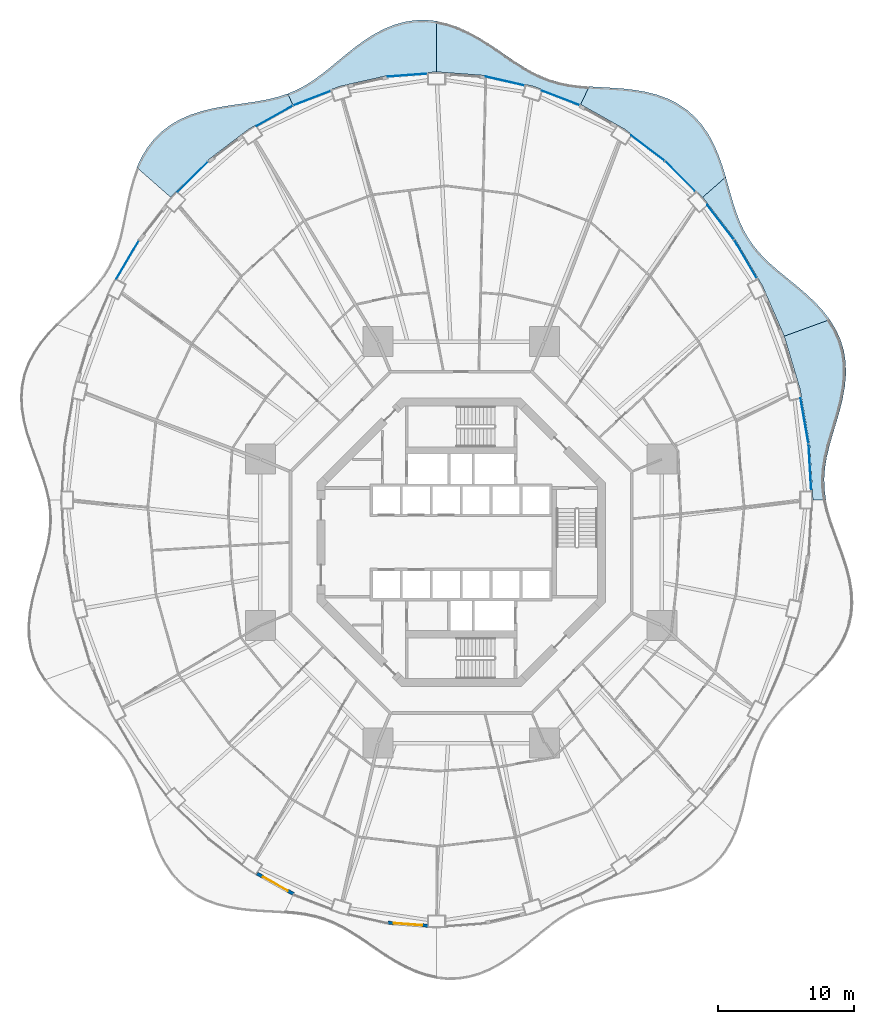
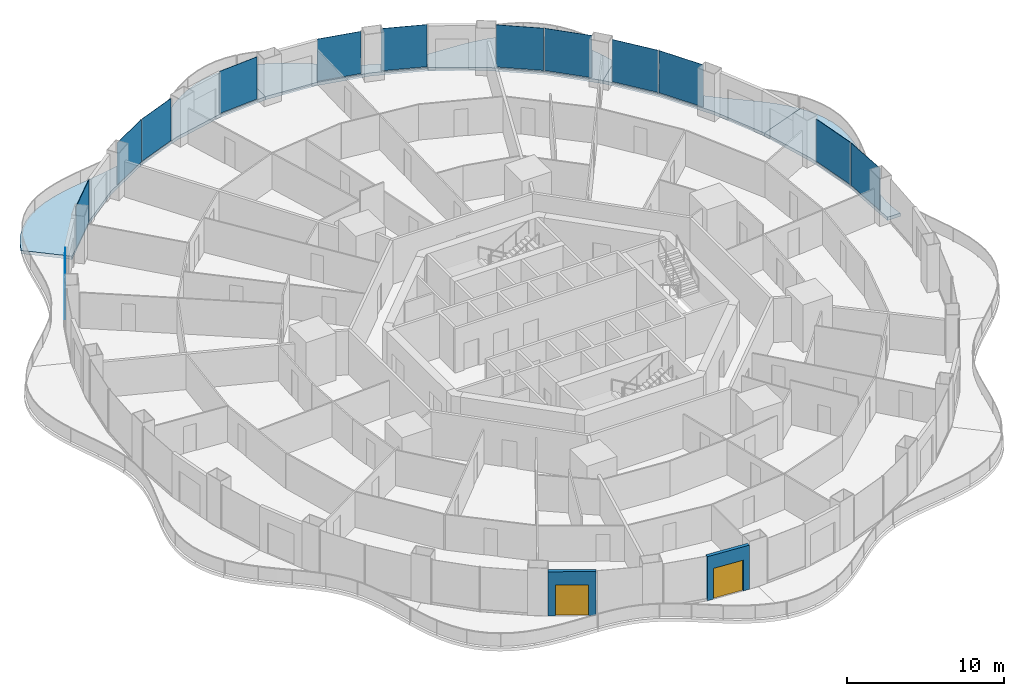
# One storey, part 14 of 24: 13 plates, 6 slabs, 2 doors, 2 walls, 2 openings, 13 elements without a shape of their own.
"""IFC4 building model written with IfcOpenShell, lengths in metres."""

from ifc_helpers import new_model, si_unit, direction, frame, frame_2d, origin, origin_2d, place, context, subcontext, project, spatial, polyline, rectangle, outline, extrude, material, layer, layer_set, type_object, element, fill, aggregate, save


model = new_model("IFC4")

# Units and contexts
model_context = context("Model", 3, precision=1e-05, world=origin(), true_north=direction((0.0, 1.0)))
body_context = subcontext(model_context, "Body", "Model", "MODEL_VIEW")
ifc_project = project(units=[si_unit("LENGTHUNIT", "METRE"), si_unit("AREAUNIT", "SQUARE_METRE"), si_unit("VOLUMEUNIT", "CUBIC_METRE"), si_unit("PLANEANGLEUNIT", "RADIAN"), si_unit("MASSUNIT", "GRAM", prefix="KILO")], contexts=[model_context])

# Site, building, storey
site_placement = place(None, origin())
site = spatial("IfcSite", under=ifc_project, at=site_placement, CompositionType="ELEMENT")
building_placement = place(site_placement, origin())
building = spatial("IfcBuilding", under=site, at=building_placement, Name="Nagisa Residences", CompositionType="ELEMENT")
storey_placement = place(building_placement, frame((0.0, 0.0, 102.89990234375)))
storey = spatial("IfcBuildingStorey", under=building, at=storey_placement, Name="L25", CompositionType="ELEMENT", Elevation=102.89990234375)

# Slabs
ifc_material_1 = material(Name="Concrete C40/50", Category="concrete")
ifc_layer_1 = layer(ifc_material_1, 0.25)
ifc_layer_set_1 = layer_set([ifc_layer_1], Name="BALCONY SLAB 250")
slab_type = type_object("IfcSlabType", Name="BALCONY SLAB 250", PredefinedType="FLOOR", material=ifc_layer_set_1)
slab_1_placement = place(storey_placement, frame((0.0, 0.0, -0.25)))
element("IfcSlab", 1, at=slab_1_placement, inside=storey, type_object=slab_type, Name="slab:L25:bal00", PredefinedType="FLOOR", context=body_context, shape_type="SweptSolid", body=[
    extrude(outline(polyline([(26.854248046875, 3.11767578125), (26.748046875, 3.9052734375), (26.724853515625, 4.6923828125), (26.783935546875, 5.4853515625), (26.91845703125, 6.289794921875), (27.1142578125, 7.109375), (27.3525390625, 7.947021484375), (27.610107421875, 8.802490234375), (27.861328125, 9.674072265625), (28.080322265625, 10.556884765625), (28.241455078125, 11.444580078125), (28.323486328125, 12.3291015625), (28.30810546875, 13.200927734375), (28.183837890625, 14.051513671875), (27.9453125, 14.8720703125), (27.593505859375, 15.655517578125), (27.13671875, 16.3974609375), (23.786865234375, 15.177978515625), (24.951416015625, 11.2744140625), (25.657958984375, 7.231201171875), (25.89501953125, 3.11767578125), (26.854248046875, 3.11767578125)])), origin(), (0.0, 0.0, 1.0), 0.25),
])
slab_2_placement = place(storey_placement, frame((0.0, 0.0, -0.25)))
element("IfcSlab", 2, at=slab_2_placement, inside=storey, type_object=slab_type, Name="slab:L25:bal01", PredefinedType="FLOOR", context=body_context, shape_type="SweptSolid", body=[
    extrude(outline(polyline([(27.13671875, 16.3974609375), (26.607177734375, 17.074951171875), (26.0087890625, 17.712646484375), (25.3623046875, 18.314697265625), (24.689453125, 18.8876953125), (24.0126953125, 19.440673828125), (23.35302734375, 19.984619140625), (22.72900390625, 20.53125), (22.155029296875, 21.092529296875), (21.64111328125, 21.6796875), (21.19189453125, 22.301513671875), (20.806640625, 22.96533203125), (20.47900390625, 23.674072265625), (20.198486328125, 24.427490234375), (19.9501953125, 25.22119140625), (19.716552734375, 26.046630859375), (19.478759765625, 26.89208984375), (17.783203125, 25.402099609375), (20.171875, 22.302734375), (22.1845703125, 18.875244140625), (23.786865234375, 15.177978515625), (27.13671875, 16.3974609375)])), origin(), (0.0, 0.0, 1.0), 0.25),
])
slab_3_placement = place(storey_placement, frame((0.0, 0.0, -0.25)))
element("IfcSlab", 3, at=slab_3_placement, inside=storey, type_object=slab_type, Name="slab:L25:bal02", PredefinedType="FLOOR", context=body_context, shape_type="SweptSolid", body=[
    extrude(outline(polyline([(19.478759765625, 26.89208984375), (19.230712890625, 27.702880859375), (18.9462890625, 28.503662109375), (18.611572265625, 29.27880859375), (18.216552734375, 30.012939453125), (17.75341796875, 30.692138671875), (17.21923828125, 31.3037109375), (16.614013671875, 31.838623046875), (15.942138671875, 32.290771484375), (15.211181640625, 32.658447265625), (14.431396484375, 32.944580078125), (13.61474609375, 33.155517578125), (12.774169921875, 33.302001953125), (11.92333984375, 33.3984375), (11.07421875, 33.4609375), (10.238037109375, 33.508056640625), (9.422607421875, 33.55810546875), (8.79833984375, 32.233642578125), (12.047607421875, 30.410400390625), (15.0595703125, 28.1201171875), (17.783203125, 25.402099609375), (19.478759765625, 26.89208984375)])), origin(), (0.0, 0.0, 1.0), 0.25),
])
slab_4_placement = place(storey_placement, frame((0.0, 0.0, -0.25)))
element("IfcSlab", 4, at=slab_4_placement, inside=storey, type_object=slab_type, Name="slab:L25:bal03", PredefinedType="FLOOR", context=body_context, shape_type="SweptSolid", body=[
    extrude(outline(polyline([(9.422607421875, 33.55810546875), (8.662109375, 33.625732421875), (7.928955078125, 33.7265625), (7.22314453125, 33.8720703125), (6.541748046875, 34.07080078125), (5.88037109375, 34.326416015625), (5.232666015625, 34.638916015625), (4.59130859375, 35.00439453125), (3.94873046875, 35.41357421875), (3.298095703125, 35.854248046875), (2.632568359375, 36.311279296875), (1.94775390625, 36.766357421875), (1.240234375, 37.201171875), (0.509521484375, 37.595947265625), (-0.243408203125, 37.933349609375), (-1.014892578125, 38.19677734375), (-1.800048828125, 38.37353515625), (-1.800048828125, 34.6328125), (1.81494140625, 34.363037109375), (5.367919921875, 33.558837890625), (8.79833984375, 32.233642578125), (9.422607421875, 33.55810546875)])), origin(), (0.0, 0.0, 1.0), 0.25),
])
slab_5_placement = place(storey_placement, frame((0.0, 0.0, -0.25)))
element("IfcSlab", 5, at=slab_5_placement, inside=storey, type_object=slab_type, Name="slab:L25:bal04", PredefinedType="FLOOR", context=body_context, shape_type="SweptSolid", body=[
    extrude(outline(polyline([(-1.800048828125, 38.37353515625), (-2.59228515625, 38.4541015625), (-3.384765625, 38.43359375), (-4.169921875, 38.3115234375), (-4.94091796875, 38.09228515625), (-5.69140625, 37.784423828125), (-6.41748046875, 37.400390625), (-7.11669921875, 36.95556640625), (-7.78857421875, 36.467529296875), (-8.435546875, 35.955078125), (-9.06103515625, 35.437255859375), (-9.671630859375, 34.931640625), (-10.2744140625, 34.453857421875), (-10.877685546875, 34.016845703125), (-11.48974609375, 33.6298828125), (-12.1181640625, 33.298095703125), (-12.770263671875, 33.0224609375), (-12.3984375, 32.233642578125), (-8.968017578125, 33.558837890625), (-5.4150390625, 34.363037109375), (-1.800048828125, 34.6328125), (-1.800048828125, 38.37353515625)])), origin(), (0.0, 0.0, 1.0), 0.25),
])
slab_6_placement = place(storey_placement, frame((0.0, 0.0, -0.25)))
element("IfcSlab", 6, at=slab_6_placement, inside=storey, type_object=slab_type, Name="slab:L25:bal05", PredefinedType="FLOOR", context=body_context, shape_type="SweptSolid", body=[
    extrude(outline(polyline([(-12.770263671875, 33.0224609375), (-13.476318359375, 32.792236328125), (-14.215576171875, 32.61083984375), (-14.98779296875, 32.466552734375), (-15.789306640625, 32.344482421875), (-16.614013671875, 32.22802734375), (-17.451904296875, 32.09912109375), (-18.29150390625, 31.940673828125), (-19.119140625, 31.737060546875), (-19.920654296875, 31.474365234375), (-20.682373046875, 31.142333984375), (-21.39111328125, 30.734130859375), (-22.0361328125, 30.247314453125), (-22.610107421875, 29.683349609375), (-23.108154296875, 29.047119140625), (-23.530029296875, 28.34765625), (-23.879638671875, 27.595947265625), (-21.38330078125, 25.402099609375), (-18.65966796875, 28.1201171875), (-15.6474609375, 30.410400390625), (-12.3984375, 32.233642578125), (-12.770263671875, 33.0224609375)])), origin(), (0.0, 0.0, 1.0), 0.25),
])

# Curtain wall, plate
ifc_material_2 = material(Name="Concrete-coloured aluminium curtain wall system", Category="concrete")
ifc_layer_2 = layer(ifc_material_2, 0.159912109375)
ifc_layer_set_2 = layer_set([ifc_layer_2], Name="CW1 CURTAIN WALL")
curtain_wall_type = type_object("IfcCurtainWallType", Name="CW1 CURTAIN WALL", PredefinedType="NOTDEFINED", material=ifc_layer_set_2)
curtain_wall_1_placement = place(storey_placement, origin())
curtain_wall_1 = element("IfcCurtainWall", 7, at=curtain_wall_1_placement, inside=storey, type_object=curtain_wall_type, Name="cw:CW1:L25:00", PredefinedType="NOTDEFINED")
ifc_material_3 = material(Name="Clear laminated glass", Category="glass")
ifc_layer_3 = layer(ifc_material_3, 0.028076171875)
ifc_layer_set_3 = layer_set([ifc_layer_3], Name="CW1 GLASS PANEL")
plate_type = type_object("IfcPlateType", Name="CW1 GLASS PANEL", PredefinedType="CURTAIN_PANEL", material=ifc_layer_set_3)
plate_1_placement = place(storey_placement, frame((25.67626953125, 5.524169921875, 0.150146484375), z_axis=(0.0, 0.0, 1.0), x_axis=(-0.057503492216, 0.998345305184, 0.0)))
plate_1 = element("IfcPlate", 8, at=plate_1_placement, type_object=plate_type, Name="CW1 panel", PredefinedType="CURTAIN_PANEL", context=body_context, shape_type="SweptSolid", body=[
    extrude(rectangle(XDim=3.410400390625, YDim=0.028076171875, at=origin_2d()), origin(), (0.0, 0.0, 1.0), 3.2900390625),
])
aggregate(curtain_wall_1, [plate_1])

curtain_wall_2_placement = place(storey_placement, origin())
curtain_wall_2 = element("IfcCurtainWall", 9, at=curtain_wall_2_placement, inside=storey, type_object=curtain_wall_type, Name="cw:CW1:L25:01", PredefinedType="NOTDEFINED")
plate_2_placement = place(storey_placement, frame((25.276611328125, 8.948486328125, 0.150146484375), z_axis=(0.0, 0.0, 1.0), x_axis=(-0.172190868898, 0.985063604377, 0.0)))
plate_2 = element("IfcPlate", 10, at=plate_2_placement, type_object=plate_type, Name="CW1 panel", PredefinedType="CURTAIN_PANEL", context=body_context, shape_type="SweptSolid", body=[
    extrude(rectangle(XDim=3.39453125, YDim=0.028076171875, at=origin_2d()), origin(), (0.0, 0.0, 1.0), 3.2900390625),
])
aggregate(curtain_wall_2, [plate_2])

curtain_wall_3_placement = place(storey_placement, origin())
curtain_wall_3 = element("IfcCurtainWall", 11, at=curtain_wall_3_placement, inside=storey, type_object=curtain_wall_type, Name="cw:CW1:L25:04", PredefinedType="NOTDEFINED")
plate_3_placement = place(storey_placement, frame((20.929443359375, 20.854736328125, 0.150146484375), z_axis=(0.0, 0.0, 1.0), x_axis=(-0.506348567002, 0.862328898214, 0.0)))
plate_3 = element("IfcPlate", 12, at=plate_3_placement, type_object=plate_type, Name="CW1 panel", PredefinedType="CURTAIN_PANEL", context=body_context, shape_type="SweptSolid", body=[
    extrude(rectangle(XDim=3.264892578125, YDim=0.028076171875, at=origin_2d()), origin(), (0.0, 0.0, 1.0), 3.2900390625),
])
aggregate(curtain_wall_3, [plate_3])

curtain_wall_4_placement = place(storey_placement, origin())
curtain_wall_4 = element("IfcCurtainWall", 13, at=curtain_wall_4_placement, inside=storey, type_object=curtain_wall_type, Name="cw:CW1:L25:05", PredefinedType="NOTDEFINED")
plate_4_placement = place(storey_placement, frame((19.09423828125, 23.570068359375, 0.150146484375), z_axis=(0.0, 0.0, 1.0), x_axis=(-0.610429828235, 0.792070340816, 0.0)))
plate_4 = element("IfcPlate", 14, at=plate_4_placement, type_object=plate_type, Name="CW1 panel", PredefinedType="CURTAIN_PANEL", context=body_context, shape_type="SweptSolid", body=[
    extrude(rectangle(XDim=3.202880859375, YDim=0.028076171875, at=origin_2d()), origin(), (0.0, 0.0, 1.0), 3.2900390625),
])
aggregate(curtain_wall_4, [plate_4])

curtain_wall_5_placement = place(storey_placement, origin())
curtain_wall_5 = element("IfcCurtainWall", 15, at=curtain_wall_5_placement, inside=storey, type_object=curtain_wall_type, Name="cw:CW1:L25:06", PredefinedType="NOTDEFINED")
plate_5_placement = place(storey_placement, frame((16.11376953125, 26.955322265625, 0.150146484375), z_axis=(0.0, 0.0, 1.0), x_axis=(-0.707835924016, 0.706376885714, 0.0)))
plate_5 = element("IfcPlate", 16, at=plate_5_placement, type_object=plate_type, Name="CW1 panel", PredefinedType="CURTAIN_PANEL", context=body_context, shape_type="SweptSolid", body=[
    extrude(rectangle(XDim=3.137939453125, YDim=0.028076171875, at=origin_2d()), origin(), (0.0, 0.0, 1.0), 3.2900390625),
])
aggregate(curtain_wall_5, [plate_5])

curtain_wall_6_placement = place(storey_placement, origin())
curtain_wall_6 = element("IfcCurtainWall", 17, at=curtain_wall_6_placement, inside=storey, type_object=curtain_wall_type, Name="cw:CW1:L25:07", PredefinedType="NOTDEFINED")
plate_6_placement = place(storey_placement, frame((13.739990234375, 29.023193359375, 0.150146484375), z_axis=(0.0, 0.0, 1.0), x_axis=(-0.79603132756, 0.605255421737, 0.0)))
plate_6 = element("IfcPlate", 18, at=plate_6_placement, type_object=plate_type, Name="CW1 panel", PredefinedType="CURTAIN_PANEL", context=body_context, shape_type="SweptSolid", body=[
    extrude(rectangle(XDim=3.073974609375, YDim=0.028076171875, at=origin_2d()), origin(), (0.0, 0.0, 1.0), 3.2900390625),
])
aggregate(curtain_wall_6, [plate_6])

curtain_wall_7_placement = place(storey_placement, origin())
curtain_wall_7 = element("IfcCurtainWall", 19, at=curtain_wall_7_placement, inside=storey, type_object=curtain_wall_type, Name="cw:CW1:L25:09", PredefinedType="NOTDEFINED")
plate_7_placement = place(storey_placement, frame((7.32958984375, 32.71533203125, 0.150146484375), z_axis=(0.0, 0.0, 1.0), x_axis=(-0.932825759707, 0.360327770268, 0.0)))
plate_7 = element("IfcPlate", 20, at=plate_7_placement, type_object=plate_type, Name="CW1 panel", PredefinedType="CURTAIN_PANEL", context=body_context, shape_type="SweptSolid", body=[
    extrude(rectangle(XDim=2.967529296875, YDim=0.028076171875, at=origin_2d()), origin(), (0.0, 0.0, 1.0), 3.2900390625),
])
aggregate(curtain_wall_7, [plate_7])

curtain_wall_8_placement = place(storey_placement, origin())
curtain_wall_8 = element("IfcCurtainWall", 21, at=curtain_wall_8_placement, inside=storey, type_object=curtain_wall_type, Name="cw:CW1:L25:10", PredefinedType="NOTDEFINED")
plate_8_placement = place(storey_placement, frame((3.2275390625, 33.96142578125, 0.150146484375), z_axis=(0.0, 0.0, 1.0), x_axis=(-0.975327274089, 0.2207639201, 0.0)))
plate_8 = element("IfcPlate", 22, at=plate_8_placement, type_object=plate_type, Name="CW1 panel", PredefinedType="CURTAIN_PANEL", context=body_context, shape_type="SweptSolid", body=[
    extrude(rectangle(XDim=2.932861328125, YDim=0.028076171875, at=origin_2d()), origin(), (0.0, 0.0, 1.0), 3.2900390625),
])
aggregate(curtain_wall_8, [plate_8])

curtain_wall_9_placement = place(storey_placement, origin())
curtain_wall_9 = element("IfcCurtainWall", 23, at=curtain_wall_9_placement, inside=storey, type_object=curtain_wall_type, Name="cw:CW1:L25:12", PredefinedType="NOTDEFINED")
plate_9_placement = place(storey_placement, frame((-3.95556640625, 34.3916015625, 0.150146484375), z_axis=(0.0, 0.0, 1.0), x_axis=(-0.997230168512, -0.074377355493, 0.0)))
plate_9 = element("IfcPlate", 24, at=plate_9_placement, type_object=plate_type, Name="CW1 panel", PredefinedType="CURTAIN_PANEL", context=body_context, shape_type="SweptSolid", body=[
    extrude(rectangle(XDim=2.9150390625, YDim=0.028076171875, at=origin_2d()), origin(), (0.0, 0.0, 1.0), 3.2900390625),
])
aggregate(curtain_wall_9, [plate_9])

curtain_wall_10_placement = place(storey_placement, origin())
curtain_wall_10 = element("IfcCurtainWall", 25, at=curtain_wall_10_placement, inside=storey, type_object=curtain_wall_type, Name="cw:CW1:L25:14", PredefinedType="NOTDEFINED")
plate_10_placement = place(storey_placement, frame((-10.985595703125, 32.69384765625, 0.150146484375), z_axis=(0.0, 0.0, 1.0), x_axis=(-0.932825759707, -0.360327770268, 0.0)))
plate_10 = element("IfcPlate", 26, at=plate_10_placement, type_object=plate_type, Name="CW1 panel", PredefinedType="CURTAIN_PANEL", context=body_context, shape_type="SweptSolid", body=[
    extrude(rectangle(XDim=2.967529296875, YDim=0.028076171875, at=origin_2d()), origin(), (0.0, 0.0, 1.0), 3.2900390625),
])
aggregate(curtain_wall_10, [plate_10])

curtain_wall_11_placement = place(storey_placement, origin())
curtain_wall_11 = element("IfcCurtainWall", 27, at=curtain_wall_11_placement, inside=storey, type_object=curtain_wall_type, Name="cw:CW1:L25:15", PredefinedType="NOTDEFINED")
plate_11_placement = place(storey_placement, frame((-13.7265625, 31.396728515625, 0.150146484375), z_axis=(0.0, 0.0, 1.0), x_axis=(-0.872072377523, -0.489376918501, 0.0)))
plate_11 = element("IfcPlate", 28, at=plate_11_placement, type_object=plate_type, Name="CW1 panel", PredefinedType="CURTAIN_PANEL", context=body_context, shape_type="SweptSolid", body=[
    extrude(rectangle(XDim=3.015625, YDim=0.028076171875, at=origin_2d()), origin(), (0.0, 0.0, 1.0), 3.2900390625),
])
aggregate(curtain_wall_11, [plate_11])

curtain_wall_12_placement = place(storey_placement, origin())
curtain_wall_12 = element("IfcCurtainWall", 29, at=curtain_wall_12_placement, inside=storey, type_object=curtain_wall_type, Name="cw:CW1:L25:17", PredefinedType="NOTDEFINED")
plate_12_placement = place(storey_placement, frame((-19.756103515625, 26.912841796875, 0.150146484375), z_axis=(0.0, 0.0, 1.0), x_axis=(-0.707835924016, -0.706376885714, 0.0)))
plate_12 = element("IfcPlate", 30, at=plate_12_placement, type_object=plate_type, Name="CW1 panel", PredefinedType="CURTAIN_PANEL", context=body_context, shape_type="SweptSolid", body=[
    extrude(rectangle(XDim=3.137939453125, YDim=0.028076171875, at=origin_2d()), origin(), (0.0, 0.0, 1.0), 3.2900390625),
])
aggregate(curtain_wall_12, [plate_12])

curtain_wall_13_placement = place(storey_placement, origin())
curtain_wall_13 = element("IfcCurtainWall", 31, at=curtain_wall_13_placement, inside=storey, type_object=curtain_wall_type, Name="cw:CW1:L25:19", PredefinedType="NOTDEFINED")
plate_13_placement = place(storey_placement, frame((-24.559814453125, 20.802978515625, 0.150146484375), z_axis=(0.0, 0.0, 1.0), x_axis=(-0.506348567002, -0.862328898214, 0.0)))
plate_13 = element("IfcPlate", 32, at=plate_13_placement, type_object=plate_type, Name="CW1 panel", PredefinedType="CURTAIN_PANEL", context=body_context, shape_type="SweptSolid", body=[
    extrude(rectangle(XDim=3.264892578125, YDim=0.028076171875, at=origin_2d()), origin(), (0.0, 0.0, 1.0), 3.2900390625),
])
aggregate(curtain_wall_13, [plate_13])

# Wall, opening, door
ifc_material_4 = material(Name="Precast concrete C40/50", Category="concrete")
ifc_layer_4 = layer(ifc_material_4, 0.25)
ifc_layer_set_4 = layer_set([ifc_layer_4], Name="BALCONY DOOR WALL 250")
wall_type = type_object("IfcWallType", Name="BALCONY DOOR WALL 250", PredefinedType="SOLIDWALL", material=ifc_layer_set_4)
wall_1_placement = place(storey_placement, frame((-12.337158203125, -25.889404296875, 0.0), z_axis=(0.0, 0.0, 1.0), x_axis=(-0.872090167423, 0.489345215451, 0.0)))
wall_1 = element("IfcWall", 33, at=wall_1_placement, inside=storey, type_object=wall_type, Name="wall:L25:bay32", PredefinedType="SOLIDWALL", context=body_context, shape_type="SweptSolid", body=[
    extrude(rectangle(XDim=3.07568359375, YDim=0.25, at=frame_2d((1.537841796875, 0.0))), origin(), (0.0, 0.0, 1.0), 3.440185546875),
])
opening_1_placement = place(wall_1_placement, frame((0.48779296875, 0.0, 0.0)))
opening_1 = element("IfcOpeningElement", 34, at=opening_1_placement, cuts=wall_1, Name="Opening BD-L25-11", PredefinedType="OPENING", context=body_context, shape_type="SweptSolid", body=[
    extrude(rectangle(XDim=2.10009765625, YDim=2.39990234375, at=frame_2d((1.050048828125, 1.199951171875))), frame((0.0, 0.135009765625, 0.0), z_axis=(0.0, -1.0, 0.0), x_axis=(1.0, 0.0, 0.0)), (0.0, 0.0, 1.0), 0.27001953125),
])
ifc_material_5 = material(Name="Aluminium and clear glass", Category="aluminium")
door_type = type_object("IfcDoorType", Name="BALCONY SLIDING DOOR 2100x2400", OperationType="SLIDING_TO_LEFT", PredefinedType="DOOR", material=ifc_material_5)
door_1_placement = place(opening_1_placement, origin())
door_1 = element("IfcDoor", 35, at=door_1_placement, inside=storey, type_object=door_type, Name="door:L25:bay32", OperationType="SLIDING_TO_LEFT", OverallHeight=2.39990234375, OverallWidth=2.10009765625, PredefinedType="DOOR", context=body_context, shape_type="SweptSolid", body=[
    extrude(rectangle(XDim=2.10009765625, YDim=2.39990234375, at=frame_2d((1.050048828125, 1.199951171875))), frame((0.0, 0.02490234375, 0.0), z_axis=(0.0, -1.0, 0.0), x_axis=(1.0, 0.0, 0.0)), (0.0, 0.0, 1.0), 0.050048828125),
])
fill(opening_1, door_1)

wall_2_placement = place(storey_placement, frame((-2.43896484375, -28.224365234375, 0.0), z_axis=(0.0, 0.0, 1.0), x_axis=(-0.997225719788, 0.074436978672, 0.0)))
wall_2 = element("IfcWall", 36, at=wall_2_placement, inside=storey, type_object=wall_type, Name="wall:L25:bay35", PredefinedType="SOLIDWALL", context=body_context, shape_type="SweptSolid", body=[
    extrude(rectangle(XDim=2.974853515625, YDim=0.25, at=frame_2d((1.4873046875, 0.0))), origin(), (0.0, 0.0, 1.0), 3.440185546875),
])
opening_2_placement = place(wall_2_placement, frame((0.4375, 0.0, 0.0)))
opening_2 = element("IfcOpeningElement", 37, at=opening_2_placement, cuts=wall_2, Name="Opening BD-L25-12", PredefinedType="OPENING", context=body_context, shape_type="SweptSolid", body=[
    extrude(rectangle(XDim=2.10009765625, YDim=2.39990234375, at=frame_2d((1.050048828125, 1.199951171875))), frame((0.0, 0.135009765625, 0.0), z_axis=(0.0, -1.0, 0.0), x_axis=(1.0, 0.0, 0.0)), (0.0, 0.0, 1.0), 0.27001953125),
])
door_2_placement = place(opening_2_placement, origin())
door_2 = element("IfcDoor", 38, at=door_2_placement, inside=storey, type_object=door_type, Name="door:L25:bay35", OperationType="SLIDING_TO_LEFT", OverallHeight=2.39990234375, OverallWidth=2.10009765625, PredefinedType="DOOR", context=body_context, shape_type="SweptSolid", body=[
    extrude(rectangle(XDim=2.10009765625, YDim=2.39990234375, at=frame_2d((1.050048828125, 1.199951171875))), frame((0.0, 0.02490234375, 0.0), z_axis=(0.0, -1.0, 0.0), x_axis=(1.0, 0.0, 0.0)), (0.0, 0.0, 1.0), 0.050048828125),
])
fill(opening_2, door_2)

save(model, "model.ifc")
